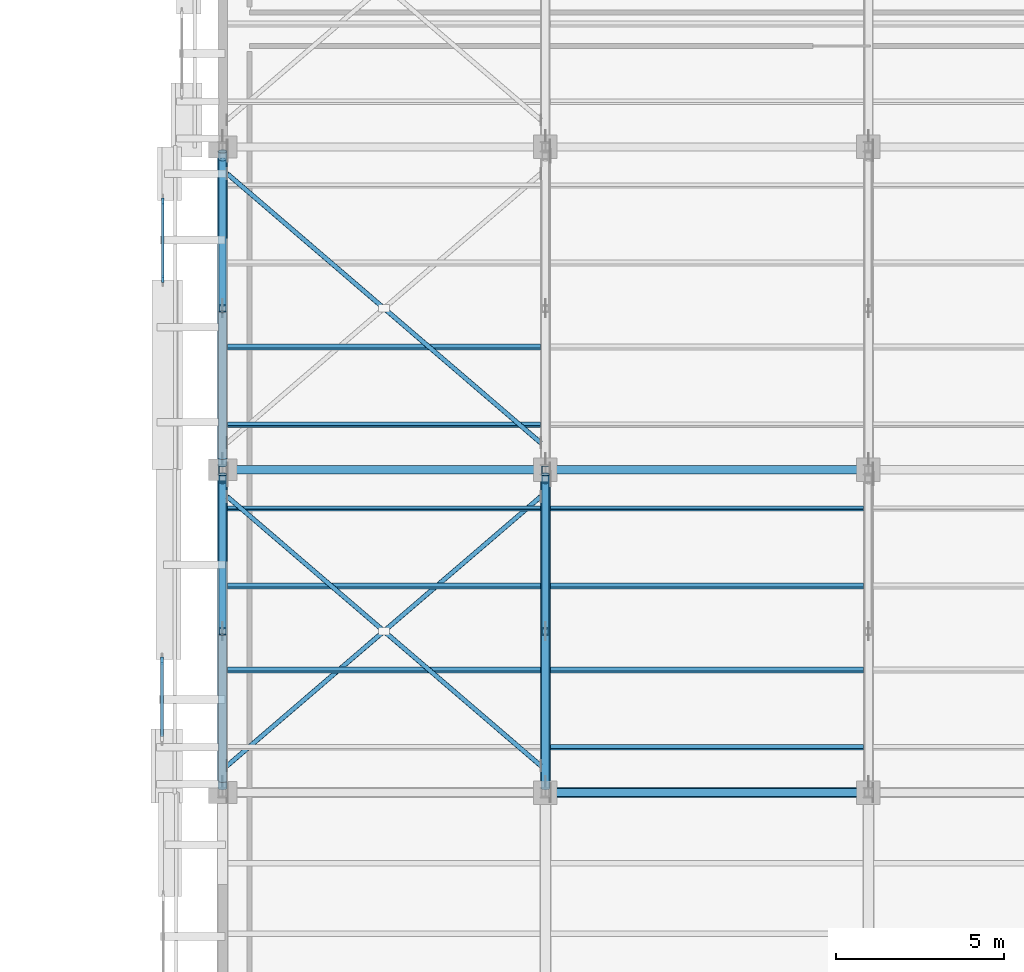
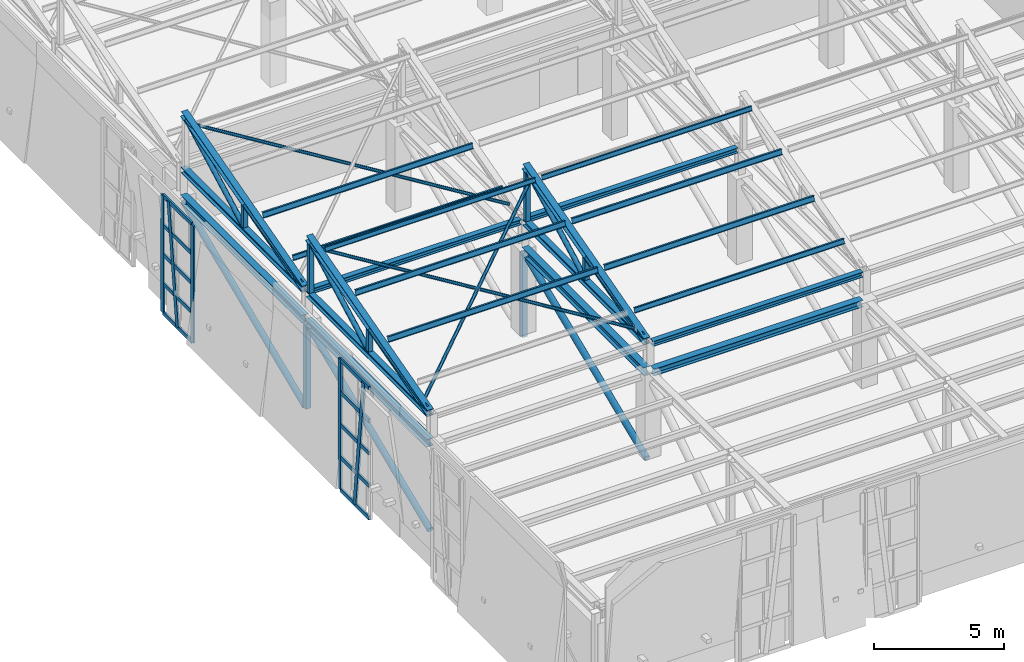
# One storey, part 9 of 71: 54 members, 4 beams, 2 elements without a shape of their own.
"""IFC4 building model written with IfcOpenShell, lengths in metres."""

from ifc_helpers import new_model, si_unit, direction, frame, origin, origin_2d, place, context, subcontext, project, spatial, rectangle, hollow_rectangle, hollow_circle, i_section, extrude, material, layer, layer_set, material_profile, profile_set, type_object, element, aggregate, save


model = new_model("IFC4")

# Units and contexts
model_context = context("Model", 3, precision=1e-05, world=origin(), true_north=direction((0.0, 1.0)))
body_context = subcontext(model_context, "Body", "Model", "MODEL_VIEW")
ifc_project = project(units=[si_unit("LENGTHUNIT", "METRE"), si_unit("AREAUNIT", "SQUARE_METRE"), si_unit("VOLUMEUNIT", "CUBIC_METRE"), si_unit("PLANEANGLEUNIT", "RADIAN"), si_unit("MASSUNIT", "GRAM", prefix="KILO")], contexts=[model_context])

# Site, building, storey
site_placement = place(None, origin())
site = spatial("IfcSite", under=ifc_project, at=site_placement, CompositionType="ELEMENT")
building_placement = place(site_placement, origin())
building = spatial("IfcBuilding", under=site, at=building_placement, Name="Bempovik Park Faculty of Sciences", CompositionType="ELEMENT")
storey_placement = place(building_placement, frame((0.0, 0.0, 14.10009765625)))
storey = spatial("IfcBuildingStorey", under=building, at=storey_placement, Name="L03", CompositionType="ELEMENT", Elevation=14.10009765625)

# Beams
ifc_material_1 = material(Name="Steel S355", Category="steel")
ifc_material_profile_1 = material_profile(ifc_material_1, i_section(OverallWidth=0.300048828125, OverallDepth=0.320068359375, WebThickness=0.011474609375, FlangeThickness=0.0205078125, at=origin_2d()), Name="HEB 320")
ifc_profile_set_1 = profile_set([ifc_material_profile_1], Name="Steel S355")
beam_type_1 = type_object("IfcBeamType", Name="B-018 HEB 320", PredefinedType="BEAM", material=ifc_profile_set_1)
beam_placement = place(storey_placement, frame((69.756103515625, 19.800048828125, 3.81982421875), z_axis=(1.0, 0.0, 0.0), x_axis=(0.0, 1.0, 0.0)))
element("IfcBeam", 1, at=beam_placement, inside=storey, type_object=beam_type_1, Name="Cantilever Collector Beam APR (69.6-79.2, y=19.8)", PredefinedType="BEAM", context=body_context, shape_type="SweptSolid", body=[
    extrude(i_section(OverallWidth=0.300048828125, OverallDepth=0.320068359375, WebThickness=0.011474609375, FlangeThickness=0.0205078125, at=origin_2d()), origin(), (0.0, 0.0, 1.0), 9.287841796875),
])
ifc_material_profile_2 = material_profile(ifc_material_1, i_section(OverallWidth=0.239990234375, OverallDepth=0.239990234375, WebThickness=0.010009765625, FlangeThickness=0.01708984375, at=origin_2d()), Name="HEB 240")
ifc_profile_set_2 = profile_set([ifc_material_profile_2], Name="Steel S355")
beam_type_2 = type_object("IfcBeamType", Name="B-042 HEB 240", PredefinedType="BEAM", material=ifc_profile_set_2)
for number, where, z_axis, x_axis, name in (
    (2, (69.75, 19.800048828125, 5.14990234375), (1.0, 0.0, 0.0), (0.0, 1.0, 0.0), "Sawtooth Valley Tie Beam V1-B1 (69.6-79.2)"),
    (3, (60.14990234375, 29.39990234375, 5.14990234375), (1.0, 0.0, 0.0), (0.0, 1.0, 0.0), "Sawtooth Valley Tie Beam V1-B2 (60.0-69.6)"),
    (4, (69.75, 29.39990234375, 5.14990234375), (1.0, 0.0, 0.0), (0.0, 1.0, 0.0), "Sawtooth Valley Tie Beam V1-B2 (69.6-79.2)"),
):
    element("IfcBeam", number, at=place(storey_placement, frame(where, z_axis=z_axis, x_axis=x_axis)), inside=storey, type_object=beam_type_2, Name=name, PredefinedType="BEAM", context=body_context, shape_type="SweptSolid", body=[
        extrude(i_section(OverallWidth=0.239990234375, OverallDepth=0.239990234375, WebThickness=0.010009765625, FlangeThickness=0.01708984375, at=origin_2d()), origin(), (0.0, 0.0, 1.0), 9.300048828125),
    ])

# Members
ifc_material_profile_3 = material_profile(ifc_material_1, i_section(OverallWidth=0.110107421875, OverallDepth=0.219970703125, WebThickness=0.005859375, FlangeThickness=0.00927734375, at=origin_2d()), Name="IPE 220")
ifc_profile_set_3 = profile_set([ifc_material_profile_3], Name="Steel S355")
member_type_1 = type_object("IfcMemberType", Name="M-18 IPE 220", PredefinedType="PURLIN", material=ifc_profile_set_3)
member_1_placement = place(storey_placement, frame((69.74609375, 21.14404296875, 5.847412109375), z_axis=(1.0, 0.0, 0.0), x_axis=(0.0, 0.965925826289, -0.258819045103)))
element("IfcMember", 5, at=member_1_placement, inside=storey, type_object=member_type_1, Name="Sawtooth Roof Purlin V1-B1 (69.6-79.2) #1", PredefinedType="PURLIN", context=body_context, shape_type="SweptSolid", body=[
    extrude(i_section(OverallWidth=0.110107421875, OverallDepth=0.219970703125, WebThickness=0.005859375, FlangeThickness=0.00927734375, at=origin_2d()), origin(), (0.0, 0.0, 1.0), 9.307861328125),
])
member_2_placement = place(storey_placement, frame((60.14599609375, 30.743896484375, 5.847412109375), z_axis=(1.0, 0.0, 0.0), x_axis=(0.0, 0.965925826289, -0.258819045103)))
element("IfcMember", 6, at=member_2_placement, inside=storey, type_object=member_type_1, Name="Sawtooth Roof Purlin V1-B2 (60.0-69.6) #1", PredefinedType="PURLIN", context=body_context, shape_type="SweptSolid", body=[
    extrude(i_section(OverallWidth=0.110107421875, OverallDepth=0.219970703125, WebThickness=0.005859375, FlangeThickness=0.00927734375, at=origin_2d()), origin(), (0.0, 0.0, 1.0), 9.30810546875),
])
ifc_material_profile_4 = material_profile(ifc_material_1, hollow_circle(Radius=0.109619140625, WallThickness=0.010009765625, at=origin_2d()), Name="CHS 219.1x10")
ifc_profile_set_4 = profile_set([ifc_material_profile_4], Name="Steel S355")
member_type_2 = type_object("IfcMemberType", Name="M-22 CHS 219.1x10", PredefinedType="BRACE", material=ifc_profile_set_4)
for number, where, z_axis, x_axis, name in (
    (7, (60.0, 24.705078125, 5.285888671875), (0.0, 0.882187464719, 0.470898372361), (-1.0, 0.0, 0.0), "Sawtooth Web Diagonal 2 V1-B1 (60.0)"),
    (8, (69.60009765625, 24.705078125, 5.285888671875), (0.0, 0.882187464719, 0.470898372361), (-1.0, 0.0, 0.0), "Sawtooth Web Diagonal 2 V1-B1 (69.6)"),
    (9, (60.0, 34.304931640625, 5.285888671875), (0.0, 0.882187464719, 0.470898372361), (-1.0, 0.0, 0.0), "Sawtooth Web Diagonal 2 V1-B2 (60.0)"),
):
    element("IfcMember", number, at=place(storey_placement, frame(where, z_axis=z_axis, x_axis=x_axis)), inside=storey, type_object=member_type_2, Name=name, PredefinedType="BRACE", context=body_context, shape_type="SweptSolid", body=[
        extrude(hollow_circle(Radius=0.109619140625, WallThickness=0.010009765625, at=origin_2d()), origin(), (0.0, 0.0, 1.0), 4.902587890625),
    ])
ifc_material_profile_5 = material_profile(ifc_material_1, i_section(OverallWidth=0.300048828125, OverallDepth=0.360107421875, WebThickness=0.012451171875, FlangeThickness=0.0224609375, at=origin_2d()), Name="HEB 360")
ifc_profile_set_5 = profile_set([ifc_material_profile_5], Name="Steel S355")
member_type_3 = type_object("IfcMemberType", Name="M-23 HEB 360", PredefinedType="CHORD", material=ifc_profile_set_5)
member_3_placement = place(storey_placement, frame((60.0, 19.931884765625, 3.7998046875), z_axis=(0.0, 1.0, 0.0), x_axis=(-1.0, 0.0, 0.0)))
element("IfcMember", 10, at=member_3_placement, inside=storey, type_object=member_type_3, Name="Cantilever Truss 1 Top Chord 3", PredefinedType="CHORD", context=body_context, shape_type="SweptSolid", body=[
    extrude(i_section(OverallWidth=0.300048828125, OverallDepth=0.360107421875, WebThickness=0.012451171875, FlangeThickness=0.0224609375, at=origin_2d()), origin(), (0.0, 0.0, 1.0), 9.336181640625),
])
member_4_placement = place(storey_placement, frame((60.0, 29.531982421875, 3.7998046875), z_axis=(0.0, 1.0, 0.0), x_axis=(-1.0, 0.0, 0.0)))
element("IfcMember", 11, at=member_4_placement, inside=storey, type_object=member_type_3, Name="Cantilever Truss 1 Top Chord 4", PredefinedType="CHORD", context=body_context, shape_type="SweptSolid", body=[
    extrude(i_section(OverallWidth=0.300048828125, OverallDepth=0.360107421875, WebThickness=0.012451171875, FlangeThickness=0.0224609375, at=origin_2d()), origin(), (0.0, 0.0, 1.0), 9.3359375),
])
member_5_placement = place(storey_placement, frame((69.60009765625, 19.931884765625, 3.7998046875), z_axis=(0.0, 1.0, 0.0), x_axis=(-1.0, 0.0, 0.0)))
element("IfcMember", 12, at=member_5_placement, inside=storey, type_object=member_type_3, Name="Cantilever Truss 2 Top Chord 3", PredefinedType="CHORD", context=body_context, shape_type="SweptSolid", body=[
    extrude(i_section(OverallWidth=0.300048828125, OverallDepth=0.360107421875, WebThickness=0.012451171875, FlangeThickness=0.0224609375, at=origin_2d()), origin(), (0.0, 0.0, 1.0), 9.336181640625),
])
ifc_material_profile_6 = material_profile(ifc_material_1, i_section(OverallWidth=0.280029296875, OverallDepth=0.280029296875, WebThickness=0.010498046875, FlangeThickness=0.01806640625, at=origin_2d()), Name="HEB 280")
ifc_profile_set_6 = profile_set([ifc_material_profile_6], Name="Steel S355")
member_type_4 = type_object("IfcMemberType", Name="M-26 HEB 280", PredefinedType="CHORD", material=ifc_profile_set_6)
for number, where, z_axis, x_axis, name in (
    (13, (60.0, 19.9560546875, 5.212158203125), (0.0, 0.963723405845, 0.266902973056), (-1.0, 0.0, 0.0), "Sawtooth Top Rafter Chord V1-B1 (60.0)"),
    (14, (69.60009765625, 19.9560546875, 5.212158203125), (0.0, 0.963723405845, 0.266902973056), (-1.0, 0.0, 0.0), "Sawtooth Top Rafter Chord V1-B1 (69.6)"),
):
    element("IfcMember", number, at=place(storey_placement, frame(where, z_axis=z_axis, x_axis=x_axis)), inside=storey, type_object=member_type_4, Name=name, PredefinedType="CHORD", context=body_context, shape_type="SweptSolid", body=[
        extrude(i_section(OverallWidth=0.280029296875, OverallDepth=0.280029296875, WebThickness=0.010498046875, FlangeThickness=0.01806640625, at=origin_2d()), origin(), (0.0, 0.0, 1.0), 9.637451171875),
    ])
member_6_placement = place(storey_placement, frame((60.0, 29.555908203125, 5.212158203125), z_axis=(0.0, 0.963725210394, 0.266896457173), x_axis=(-1.0, 0.0, 0.0)))
element("IfcMember", 15, at=member_6_placement, inside=storey, type_object=member_type_4, Name="Sawtooth Top Rafter Chord V1-B2 (60.0)", PredefinedType="CHORD", context=body_context, shape_type="SweptSolid", body=[
    extrude(i_section(OverallWidth=0.280029296875, OverallDepth=0.280029296875, WebThickness=0.010498046875, FlangeThickness=0.01806640625, at=origin_2d()), origin(), (0.0, 0.0, 1.0), 9.6376953125),
])
ifc_material_profile_7 = material_profile(ifc_material_1, hollow_rectangle(XDim=0.219970703125, YDim=0.219970703125, WallThickness=0.010009765625, at=origin_2d()), Name="SHS 220x220x10")
ifc_profile_set_7 = profile_set([ifc_material_profile_7], Name="Steel S355")
member_type_5 = type_object("IfcMemberType", Name="M-32 SHS 220x220x10", PredefinedType="POST", material=ifc_profile_set_7)
for number, where, z_axis, x_axis, name in (
    (16, (60.0, 29.39990234375, -0.294189453125), (0.0, 0.0, 1.0), (1.0, 0.0, 0.0), "Cantilever Truss 1 L03 Post 4"),
    (17, (69.60009765625, 29.39990234375, -0.294189453125), (0.0, 0.0, 1.0), (1.0, 0.0, 0.0), "Cantilever Truss 2 L03 Post 4"),
):
    element("IfcMember", number, at=place(storey_placement, frame(where, z_axis=z_axis, x_axis=x_axis)), inside=storey, type_object=member_type_5, Name=name, PredefinedType="POST", context=body_context, shape_type="SweptSolid", body=[
        extrude(hollow_rectangle(XDim=0.219970703125, YDim=0.219970703125, WallThickness=0.010009765625, at=origin_2d()), origin(), (0.0, 0.0, 1.0), 3.908203125),
    ])
ifc_material_profile_8 = material_profile(ifc_material_1, hollow_rectangle(XDim=0.199951171875, YDim=0.199951171875, WallThickness=0.010009765625, at=origin_2d()), Name="SHS 200x200x10")
ifc_profile_set_8 = profile_set([ifc_material_profile_8], Name="Steel S355")
member_type_6 = type_object("IfcMemberType", Name="M-44 SHS 200x200x10", PredefinedType="POST", material=ifc_profile_set_8)
member_7_placement = place(storey_placement, frame((60.0, 29.1298828125, 5.285888671875), z_axis=(0.0, 0.0, 1.0), x_axis=(1.0, 0.0, 0.0)))
element("IfcMember", 18, at=member_7_placement, inside=storey, type_object=member_type_6, Name="Sawtooth North-Light Post V1-B1 (60.0)", PredefinedType="POST", context=body_context, shape_type="SweptSolid", body=[
    extrude(hollow_rectangle(XDim=0.199951171875, YDim=0.199951171875, WallThickness=0.010009765625, at=origin_2d()), origin(), (0.0, 0.0, 1.0), 2.30859375),
])
member_8_placement = place(storey_placement, frame((60.0, 24.60009765625, 5.285888671875), z_axis=(0.0, 0.0, 1.0), x_axis=(1.0, 0.0, 0.0)))
element("IfcMember", 19, at=member_8_placement, inside=storey, type_object=member_type_6, Name="Sawtooth Mid Post V1-B1 (60.0)", PredefinedType="POST", context=body_context, shape_type="SweptSolid", body=[
    extrude(hollow_rectangle(XDim=0.199951171875, YDim=0.199951171875, WallThickness=0.010009765625, at=origin_2d()), origin(), (0.0, 0.0, 1.0), 1.052490234375),
])
member_9_placement = place(storey_placement, frame((69.60009765625, 29.1298828125, 5.285888671875), z_axis=(0.0, 0.0, 1.0), x_axis=(1.0, 0.0, 0.0)))
element("IfcMember", 20, at=member_9_placement, inside=storey, type_object=member_type_6, Name="Sawtooth North-Light Post V1-B1 (69.6)", PredefinedType="POST", context=body_context, shape_type="SweptSolid", body=[
    extrude(hollow_rectangle(XDim=0.199951171875, YDim=0.199951171875, WallThickness=0.010009765625, at=origin_2d()), origin(), (0.0, 0.0, 1.0), 2.30859375),
])
for number, where, z_axis, x_axis, name in (
    (21, (69.60009765625, 24.60009765625, 5.285888671875), (0.0, 0.0, 1.0), (1.0, 0.0, 0.0), "Sawtooth Mid Post V1-B1 (69.6)"),
    (22, (60.0, 34.199951171875, 5.285888671875), (0.0, 0.0, 1.0), (1.0, 0.0, 0.0), "Sawtooth Mid Post V1-B2 (60.0)"),
):
    element("IfcMember", number, at=place(storey_placement, frame(where, z_axis=z_axis, x_axis=x_axis)), inside=storey, type_object=member_type_6, Name=name, PredefinedType="POST", context=body_context, shape_type="SweptSolid", body=[
        extrude(hollow_rectangle(XDim=0.199951171875, YDim=0.199951171875, WallThickness=0.010009765625, at=origin_2d()), origin(), (0.0, 0.0, 1.0), 1.052490234375),
    ])
ifc_material_profile_9 = material_profile(ifc_material_1, i_section(OverallWidth=0.10009765625, OverallDepth=0.199951171875, WebThickness=0.005615234375, FlangeThickness=0.008544921875, at=origin_2d()), Name="IPE 200")
ifc_profile_set_9 = profile_set([ifc_material_profile_9], Name="Steel S355")
member_type_7 = type_object("IfcMemberType", Name="M-48 IPE 200", PredefinedType="PURLIN", material=ifc_profile_set_9)
member_10_placement = place(storey_placement, frame((60.14599609375, 28.248046875, 7.7607421875), z_axis=(1.0, 0.0, 0.0), x_axis=(0.0, 0.965925826289, -0.258819045103)))
element("IfcMember", 23, at=member_10_placement, inside=storey, type_object=member_type_7, Name="Sawtooth Roof Purlin V1-B1 (60.0-69.6) #4", PredefinedType="PURLIN", context=body_context, shape_type="SweptSolid", body=[
    extrude(i_section(OverallWidth=0.10009765625, OverallDepth=0.199951171875, WebThickness=0.005615234375, FlangeThickness=0.008544921875, at=origin_2d()), origin(), (0.0, 0.0, 1.0), 9.30810546875),
])
member_11_placement = place(storey_placement, frame((69.74609375, 28.248046875, 7.7607421875), z_axis=(1.0, 0.0, 0.0), x_axis=(0.0, 0.965925826289, -0.258819045103)))
element("IfcMember", 24, at=member_11_placement, inside=storey, type_object=member_type_7, Name="Sawtooth Roof Purlin V1-B1 (69.6-79.2) #4", PredefinedType="PURLIN", context=body_context, shape_type="SweptSolid", body=[
    extrude(i_section(OverallWidth=0.10009765625, OverallDepth=0.199951171875, WebThickness=0.005615234375, FlangeThickness=0.008544921875, at=origin_2d()), origin(), (0.0, 0.0, 1.0), 9.307861328125),
])
ifc_material_profile_10 = material_profile(ifc_material_1, i_section(OverallWidth=0.260009765625, OverallDepth=0.260009765625, WebThickness=0.010009765625, FlangeThickness=0.017578125, at=origin_2d()), Name="HEB 260")
ifc_profile_set_10 = profile_set([ifc_material_profile_10], Name="Steel S355")
member_type_8 = type_object("IfcMemberType", Name="M-58 HEB 260", PredefinedType="CHORD", material=ifc_profile_set_10)
for number, where, z_axis, x_axis, name in (
    (25, (60.0, 19.9560546875, 5.14990234375), (0.0, 1.0, 0.0), (-1.0, 0.0, 0.0), "Sawtooth Bottom Chord V1-B1 (60.0)"),
    (26, (69.60009765625, 19.9560546875, 5.14990234375), (0.0, 1.0, 0.0), (-1.0, 0.0, 0.0), "Sawtooth Bottom Chord V1-B1 (69.6)"),
):
    element("IfcMember", number, at=place(storey_placement, frame(where, z_axis=z_axis, x_axis=x_axis)), inside=storey, type_object=member_type_8, Name=name, PredefinedType="CHORD", context=body_context, shape_type="SweptSolid", body=[
        extrude(i_section(OverallWidth=0.260009765625, OverallDepth=0.260009765625, WebThickness=0.010009765625, FlangeThickness=0.017578125, at=origin_2d()), origin(), (0.0, 0.0, 1.0), 9.287841796875),
    ])
member_12_placement = place(storey_placement, frame((60.0, 29.555908203125, 5.14990234375), z_axis=(0.0, 1.0, 0.0), x_axis=(-1.0, 0.0, 0.0)))
element("IfcMember", 27, at=member_12_placement, inside=storey, type_object=member_type_8, Name="Sawtooth Bottom Chord V1-B2 (60.0)", PredefinedType="CHORD", context=body_context, shape_type="SweptSolid", body=[
    extrude(i_section(OverallWidth=0.260009765625, OverallDepth=0.260009765625, WebThickness=0.010009765625, FlangeThickness=0.017578125, at=origin_2d()), origin(), (0.0, 0.0, 1.0), 9.2880859375),
])
ifc_material_profile_11 = material_profile(ifc_material_1, hollow_circle(Radius=0.136474609375, WallThickness=0.012451171875, at=origin_2d()), Name="CHS 273x12.5")
ifc_profile_set_11 = profile_set([ifc_material_profile_11], Name="Steel S355")
member_type_9 = type_object("IfcMemberType", Name="M-78 CHS 273x12.5", PredefinedType="BRACE", material=ifc_profile_set_11)
member_13_placement = place(storey_placement, frame((60.0, 19.93505859375, -0.294189453125), z_axis=(0.0, 0.922346194813, 0.386364461247), x_axis=(-1.0, 0.0, 0.0)))
element("IfcMember", 28, at=member_13_placement, inside=storey, type_object=member_type_9, Name="Cantilever Truss 1 L03 Diagonal 3", PredefinedType="BRACE", context=body_context, shape_type="SweptSolid", body=[
    extrude(hollow_circle(Radius=0.136474609375, WallThickness=0.012451171875, at=origin_2d()), origin(), (0.0, 0.0, 1.0), 10.115234375),
])
member_14_placement = place(storey_placement, frame((60.0, 29.534912109375, -0.294189453125), z_axis=(0.0, 0.922349797611, 0.386355860377), x_axis=(-1.0, 0.0, 0.0)))
element("IfcMember", 29, at=member_14_placement, inside=storey, type_object=member_type_9, Name="Cantilever Truss 1 L03 Diagonal 4", PredefinedType="BRACE", context=body_context, shape_type="SweptSolid", body=[
    extrude(hollow_circle(Radius=0.136474609375, WallThickness=0.012451171875, at=origin_2d()), origin(), (0.0, 0.0, 1.0), 10.115478515625),
])
member_15_placement = place(storey_placement, frame((69.60009765625, 19.93505859375, -0.294189453125), z_axis=(0.0, 0.922346194813, 0.386364461247), x_axis=(-1.0, 0.0, 0.0)))
element("IfcMember", 30, at=member_15_placement, inside=storey, type_object=member_type_9, Name="Cantilever Truss 2 L03 Diagonal 3", PredefinedType="BRACE", context=body_context, shape_type="SweptSolid", body=[
    extrude(hollow_circle(Radius=0.136474609375, WallThickness=0.012451171875, at=origin_2d()), origin(), (0.0, 0.0, 1.0), 10.115234375),
])
ifc_material_profile_12 = material_profile(ifc_material_1, hollow_circle(Radius=0.122314453125, WallThickness=0.010009765625, at=origin_2d()), Name="CHS 244.5x10")
ifc_profile_set_12 = profile_set([ifc_material_profile_12], Name="Steel S355")
member_type_10 = type_object("IfcMemberType", Name="M-82 CHS 244.5x10", PredefinedType="BRACE", material=ifc_profile_set_12)
for number, where, z_axis, x_axis, name in (
    (31, (60.0, 20.1298828125, 5.285888671875), (0.0, 0.972142472623, 0.23439072704), (-1.0, 0.0, 0.0), "Sawtooth Web Diagonal 1 V1-B1 (60.0)"),
    (32, (69.60009765625, 20.1298828125, 5.285888671875), (0.0, 0.972142472623, 0.23439072704), (-1.0, 0.0, 0.0), "Sawtooth Web Diagonal 1 V1-B1 (69.6)"),
):
    element("IfcMember", number, at=place(storey_placement, frame(where, z_axis=z_axis, x_axis=x_axis)), inside=storey, type_object=member_type_10, Name=name, PredefinedType="BRACE", context=body_context, shape_type="SweptSolid", body=[
        extrude(hollow_circle(Radius=0.122314453125, WallThickness=0.010009765625, at=origin_2d()), origin(), (0.0, 0.0, 1.0), 4.490234375),
    ])
member_16_placement = place(storey_placement, frame((60.0, 29.72998046875, 5.285888671875), z_axis=(0.0, 0.972139485331, 0.234403116576), x_axis=(-1.0, 0.0, 0.0)))
element("IfcMember", 33, at=member_16_placement, inside=storey, type_object=member_type_10, Name="Sawtooth Web Diagonal 1 V1-B2 (60.0)", PredefinedType="BRACE", context=body_context, shape_type="SweptSolid", body=[
    extrude(hollow_circle(Radius=0.122314453125, WallThickness=0.010009765625, at=origin_2d()), origin(), (0.0, 0.0, 1.0), 4.489990234375),
])
ifc_material_profile_13 = material_profile(ifc_material_1, hollow_circle(Radius=0.06982421875, WallThickness=0.00634765625, at=origin_2d()), Name="CHS 139.7x6.3")
ifc_profile_set_13 = profile_set([ifc_material_profile_13], Name="Steel S355")
member_type_11 = type_object("IfcMemberType", Name="M-83 CHS 139.7x6.3", PredefinedType="BRACE", material=ifc_profile_set_13)
member_17_placement = place(storey_placement, frame((60.139892578125, 20.60009765625, 5.426513671875), z_axis=(0.747498624674, 0.641625014625, 0.171939369306), x_axis=(-0.651324847863, 0.758799013281, 0.0)))
element("IfcMember", 34, at=member_17_placement, inside=storey, type_object=member_type_11, Name="Sawtooth Continuous Roof X-Brace V1-B1 (60.0-69.6)", PredefinedType="BRACE", context=body_context, shape_type="SweptSolid", body=[
    extrude(hollow_circle(Radius=0.06982421875, WallThickness=0.00634765625, at=origin_2d()), origin(), (0.0, 0.0, 1.0), 12.46826171875),
])
member_18_placement = place(storey_placement, frame((60.139892578125, 28.60009765625, 7.5703125), z_axis=(0.747490158812, -0.641636778891, -0.171932272867), x_axis=(0.651335971051, 0.758789465408, 0.0)))
element("IfcMember", 35, at=member_18_placement, inside=storey, type_object=member_type_11, Name="Sawtooth Split X-Brace Half A V1-B1 (60.0-69.6)", PredefinedType="BRACE", context=body_context, shape_type="SweptSolid", body=[
    extrude(hollow_circle(Radius=0.06982421875, WallThickness=0.00634765625, at=origin_2d()), origin(), (0.0, 0.0, 1.0), 6.144287109375),
])
for number, where, z_axis, x_axis, name in (
    (36, (64.8671875, 24.542236328125, 6.48291015625), (0.747509216421, -0.641613401953, -0.17193665636), (0.65131274657, 0.758809400413, 0.0), "Sawtooth Split X-Brace Half B V1-B1 (60.0-69.6)"),
    (37, (60.139892578125, 38.199951171875, 7.5703125), (0.747509216421, -0.641613401953, -0.17193665636), (0.65131274657, 0.758809400413, 0.0), "Sawtooth Split X-Brace Half A V1-B2 (60.0-69.6)"),
):
    element("IfcMember", number, at=place(storey_placement, frame(where, z_axis=z_axis, x_axis=x_axis)), inside=storey, type_object=member_type_11, Name=name, PredefinedType="BRACE", context=body_context, shape_type="SweptSolid", body=[
        extrude(hollow_circle(Radius=0.06982421875, WallThickness=0.00634765625, at=origin_2d()), origin(), (0.0, 0.0, 1.0), 6.14404296875),
    ])
member_19_placement = place(storey_placement, frame((64.8671875, 34.142333984375, 6.48291015625), z_axis=(0.747490158812, -0.641636778891, -0.171932272867), x_axis=(0.651335971051, 0.758789465408, 0.0)))
element("IfcMember", 38, at=member_19_placement, inside=storey, type_object=member_type_11, Name="Sawtooth Split X-Brace Half B V1-B2 (60.0-69.6)", PredefinedType="BRACE", context=body_context, shape_type="SweptSolid", body=[
    extrude(hollow_circle(Radius=0.06982421875, WallThickness=0.00634765625, at=origin_2d()), origin(), (0.0, 0.0, 1.0), 6.144287109375),
])
ifc_material_profile_14 = material_profile(ifc_material_1, i_section(OverallWidth=0.1201171875, OverallDepth=0.239990234375, WebThickness=0.006103515625, FlangeThickness=0.009765625, at=origin_2d()), Name="IPE 240")
ifc_profile_set_14 = profile_set([ifc_material_profile_14], Name="Steel S355")
member_type_12 = type_object("IfcMemberType", Name="M-86 IPE 240", PredefinedType="PURLIN", material=ifc_profile_set_14)
for number, where, z_axis, x_axis, name in (
    (39, (60.14599609375, 23.447998046875, 6.45458984375), (1.0, 0.0, 0.0), (0.0, 0.965925826289, -0.258819045103), "Sawtooth Roof Purlin V1-B1 (60.0-69.6) #2"),
    (40, (60.14599609375, 25.944091796875, 7.12353515625), (1.0, 0.0, 0.0), (0.0, 0.965925826289, -0.258819045103), "Sawtooth Roof Purlin V1-B1 (60.0-69.6) #3"),
):
    element("IfcMember", number, at=place(storey_placement, frame(where, z_axis=z_axis, x_axis=x_axis)), inside=storey, type_object=member_type_12, Name=name, PredefinedType="PURLIN", context=body_context, shape_type="SweptSolid", body=[
        extrude(i_section(OverallWidth=0.1201171875, OverallDepth=0.239990234375, WebThickness=0.006103515625, FlangeThickness=0.009765625, at=origin_2d()), origin(), (0.0, 0.0, 1.0), 9.30810546875),
    ])
for number, where, z_axis, x_axis, name in (
    (41, (69.74609375, 23.447998046875, 6.45458984375), (1.0, 0.0, 0.0), (0.0, 0.965925826289, -0.258819045103), "Sawtooth Roof Purlin V1-B1 (69.6-79.2) #2"),
    (42, (69.74609375, 25.944091796875, 7.12353515625), (1.0, 0.0, 0.0), (0.0, 0.965925826289, -0.258819045103), "Sawtooth Roof Purlin V1-B1 (69.6-79.2) #3"),
):
    element("IfcMember", number, at=place(storey_placement, frame(where, z_axis=z_axis, x_axis=x_axis)), inside=storey, type_object=member_type_12, Name=name, PredefinedType="PURLIN", context=body_context, shape_type="SweptSolid", body=[
        extrude(i_section(OverallWidth=0.1201171875, OverallDepth=0.239990234375, WebThickness=0.006103515625, FlangeThickness=0.009765625, at=origin_2d()), origin(), (0.0, 0.0, 1.0), 9.307861328125),
    ])
member_20_placement = place(storey_placement, frame((60.14599609375, 33.048095703125, 6.45458984375), z_axis=(1.0, 0.0, 0.0), x_axis=(0.0, 0.965925826289, -0.258819045103)))
element("IfcMember", 43, at=member_20_placement, inside=storey, type_object=member_type_12, Name="Sawtooth Roof Purlin V1-B2 (60.0-69.6) #2", PredefinedType="PURLIN", context=body_context, shape_type="SweptSolid", body=[
    extrude(i_section(OverallWidth=0.1201171875, OverallDepth=0.239990234375, WebThickness=0.006103515625, FlangeThickness=0.009765625, at=origin_2d()), origin(), (0.0, 0.0, 1.0), 9.30810546875),
])

# Curtain wall, members
ifc_material_2 = material(Name="Tempered laminated low-E glass", Category="glass")
ifc_layer = layer(ifc_material_2, 0.159912109375)
ifc_layer_set = layer_set([ifc_layer], Name="Tempered laminated low-E glass")
curtain_wall_type = type_object("IfcCurtainWallType", Name="CW-33 Curtain 2400x4000", PredefinedType="USERDEFINED", material=ifc_layer_set)
curtain_wall_1_placement = place(storey_placement, origin())
curtain_wall_1 = element("IfcCurtainWall", 44, at=curtain_wall_1_placement, inside=storey, type_object=curtain_wall_type, Name="L03 Crystal Slantwise Light Fold (60.0,19.8)", ObjectType="UNITISED CURTAIN WALL", PredefinedType="USERDEFINED")
ifc_material_3 = material(Name="Anodised architectural bronze", Category="aluminium")
ifc_material_profile_15 = material_profile(ifc_material_3, rectangle(XDim=0.080078125, YDim=0.219970703125, at=origin_2d()), Name="ALU-M 80x220")
ifc_profile_set_15 = profile_set([ifc_material_profile_15], Name="Anodised architectural bronze")
member_type_13 = type_object("IfcMemberType", Name="ML-29 ALU-M 80x220", PredefinedType="MULLION", material=ifc_profile_set_15)
member_21_placement = place(storey_placement, frame((58.197265625, 22.574951171875, -0.0400390625), z_axis=(0.0, -0.11096063479, 0.99382480223), x_axis=(1.0, 0.0, 0.0)))
member_21 = element("IfcMember", 45, at=member_21_placement, type_object=member_type_13, Name="CW-FOLD-L03-600-198 Mullion 1", PredefinedType="MULLION", context=body_context, shape_type="SweptSolid", body=[
    extrude(rectangle(XDim=0.080078125, YDim=0.219970703125, at=origin_2d()), origin(), (0.0, 0.0, 1.0), 6.127685546875),
])
member_22_placement = place(storey_placement, frame((58.197265625, 23.72509765625, -0.0400390625), z_axis=(0.0, 0.0, 1.0), x_axis=(1.0, 0.0, 0.0)))
member_22 = element("IfcMember", 46, at=member_22_placement, type_object=member_type_13, Name="CW-FOLD-L03-600-198 Mullion 2", PredefinedType="MULLION", context=body_context, shape_type="SweptSolid", body=[
    extrude(rectangle(XDim=0.080078125, YDim=0.219970703125, at=origin_2d()), origin(), (0.0, 0.0, 1.0), 6.08984375),
])

curtain_wall_2_placement = place(storey_placement, origin())
curtain_wall_2 = element("IfcCurtainWall", 47, at=curtain_wall_2_placement, inside=storey, type_object=curtain_wall_type, Name="L03 Crystal Slantwise Light Fold (60.0,29.4)", ObjectType="UNITISED CURTAIN WALL", PredefinedType="USERDEFINED")
member_23_placement = place(storey_placement, frame((58.218017578125, 35.074951171875, -0.0400390625), z_axis=(0.0, 0.0, 1.0), x_axis=(1.0, 0.0, 0.0)))
member_23 = element("IfcMember", 48, at=member_23_placement, type_object=member_type_13, Name="CW-FOLD-L03-600-294 Mullion 0", PredefinedType="MULLION", context=body_context, shape_type="SweptSolid", body=[
    extrude(rectangle(XDim=0.080078125, YDim=0.219970703125, at=origin_2d()), origin(), (0.0, 0.0, 1.0), 5.489990234375),
])
member_24_placement = place(storey_placement, frame((58.218017578125, 36.22509765625, -0.0400390625), z_axis=(0.0, 0.122910283031, 0.992417786179), x_axis=(-1.0, 0.0, 0.0)))
member_24 = element("IfcMember", 49, at=member_24_placement, type_object=member_type_13, Name="CW-FOLD-L03-600-294 Mullion 1", PredefinedType="MULLION", context=body_context, shape_type="SweptSolid", body=[
    extrude(rectangle(XDim=0.080078125, YDim=0.219970703125, at=origin_2d()), origin(), (0.0, 0.0, 1.0), 5.531982421875),
])
member_25_placement = place(storey_placement, frame((58.218017578125, 37.375, -0.0400390625), z_axis=(0.0, 0.0, 1.0), x_axis=(1.0, 0.0, 0.0)))
member_25 = element("IfcMember", 50, at=member_25_placement, type_object=member_type_13, Name="CW-FOLD-L03-600-294 Mullion 2", PredefinedType="MULLION", context=body_context, shape_type="SweptSolid", body=[
    extrude(rectangle(XDim=0.080078125, YDim=0.219970703125, at=origin_2d()), origin(), (0.0, 0.0, 1.0), 5.489990234375),
])

# Member
ifc_material_profile_16 = material_profile(ifc_material_3, rectangle(XDim=0.080078125, YDim=0.179931640625, at=origin_2d()), Name="ALU-T 80x180")
ifc_profile_set_16 = profile_set([ifc_material_profile_16], Name="Anodised architectural bronze")
member_type_14 = type_object("IfcMemberType", Name="TR-29 ALU-T 80x180", PredefinedType="USERDEFINED", material=ifc_profile_set_16)
member_26_placement = place(storey_placement, frame((58.197265625, 21.465087890625, -0.0400390625), z_axis=(0.0, 1.0, 0.0), x_axis=(-1.0, 0.0, 0.0)))
member_26 = element("IfcMember", 51, at=member_26_placement, type_object=member_type_14, Name="CW-FOLD-L03-600-198 Transom 0", ObjectType="TRANSOM", PredefinedType="USERDEFINED", context=body_context, shape_type="SweptSolid", body=[
    extrude(rectangle(XDim=0.080078125, YDim=0.179931640625, at=origin_2d()), origin(), (0.0, 0.0, 1.0), 2.219970703125),
])

member_27_placement = place(storey_placement, frame((58.197265625, 21.465087890625, 1.482421875), z_axis=(0.0, 1.0, 0.0), x_axis=(-1.0, 0.0, 0.0)))
member_27 = element("IfcMember", 52, at=member_27_placement, type_object=member_type_14, Name="CW-FOLD-L03-600-198 Transom 1", ObjectType="TRANSOM", PredefinedType="USERDEFINED", context=body_context, shape_type="SweptSolid", body=[
    extrude(rectangle(XDim=0.080078125, YDim=0.179931640625, at=origin_2d()), origin(), (0.0, 0.0, 1.0), 2.219970703125),
])

member_28_placement = place(storey_placement, frame((58.197265625, 21.465087890625, 3.0048828125), z_axis=(0.0, 1.0, 0.0), x_axis=(-1.0, 0.0, 0.0)))
member_28 = element("IfcMember", 53, at=member_28_placement, type_object=member_type_14, Name="CW-FOLD-L03-600-198 Transom 2", ObjectType="TRANSOM", PredefinedType="USERDEFINED", context=body_context, shape_type="SweptSolid", body=[
    extrude(rectangle(XDim=0.080078125, YDim=0.179931640625, at=origin_2d()), origin(), (0.0, 0.0, 1.0), 2.219970703125),
])

member_29_placement = place(storey_placement, frame((58.197265625, 21.465087890625, 4.52734375), z_axis=(0.0, 1.0, 0.0), x_axis=(-1.0, 0.0, 0.0)))
member_29 = element("IfcMember", 54, at=member_29_placement, type_object=member_type_14, Name="CW-FOLD-L03-600-198 Transom 3", ObjectType="TRANSOM", PredefinedType="USERDEFINED", context=body_context, shape_type="SweptSolid", body=[
    extrude(rectangle(XDim=0.080078125, YDim=0.179931640625, at=origin_2d()), origin(), (0.0, 0.0, 1.0), 2.219970703125),
])

member_30_placement = place(storey_placement, frame((58.197265625, 21.465087890625, 6.0498046875), z_axis=(0.0, 1.0, 0.0), x_axis=(-1.0, 0.0, 0.0)))
member_30 = element("IfcMember", 55, at=member_30_placement, type_object=member_type_14, Name="CW-FOLD-L03-600-198 Transom 4", ObjectType="TRANSOM", PredefinedType="USERDEFINED", context=body_context, shape_type="SweptSolid", body=[
    extrude(rectangle(XDim=0.080078125, YDim=0.179931640625, at=origin_2d()), origin(), (0.0, 0.0, 1.0), 2.219970703125),
])

aggregate(curtain_wall_1, [member_21, member_22, member_26, member_27, member_28, member_29, member_30])

member_31_placement = place(storey_placement, frame((58.218017578125, 35.114990234375, -0.0400390625), z_axis=(0.0, 1.0, 0.0), x_axis=(-1.0, 0.0, 0.0)))
member_31 = element("IfcMember", 56, at=member_31_placement, type_object=member_type_14, Name="CW-FOLD-L03-600-294 Transom 0", ObjectType="TRANSOM", PredefinedType="USERDEFINED", context=body_context, shape_type="SweptSolid", body=[
    extrude(rectangle(XDim=0.080078125, YDim=0.179931640625, at=origin_2d()), origin(), (0.0, 0.0, 1.0), 2.219970703125),
])

member_32_placement = place(storey_placement, frame((58.218017578125, 35.114990234375, 1.33251953125), z_axis=(0.0, 1.0, 0.0), x_axis=(-1.0, 0.0, 0.0)))
member_32 = element("IfcMember", 57, at=member_32_placement, type_object=member_type_14, Name="CW-FOLD-L03-600-294 Transom 1", ObjectType="TRANSOM", PredefinedType="USERDEFINED", context=body_context, shape_type="SweptSolid", body=[
    extrude(rectangle(XDim=0.080078125, YDim=0.179931640625, at=origin_2d()), origin(), (0.0, 0.0, 1.0), 2.219970703125),
])

member_33_placement = place(storey_placement, frame((58.218017578125, 35.114990234375, 2.704833984375), z_axis=(0.0, 1.0, 0.0), x_axis=(-1.0, 0.0, 0.0)))
member_33 = element("IfcMember", 58, at=member_33_placement, type_object=member_type_14, Name="CW-FOLD-L03-600-294 Transom 2", ObjectType="TRANSOM", PredefinedType="USERDEFINED", context=body_context, shape_type="SweptSolid", body=[
    extrude(rectangle(XDim=0.080078125, YDim=0.179931640625, at=origin_2d()), origin(), (0.0, 0.0, 1.0), 2.219970703125),
])

member_34_placement = place(storey_placement, frame((58.218017578125, 35.114990234375, 4.077392578125), z_axis=(0.0, 1.0, 0.0), x_axis=(-1.0, 0.0, 0.0)))
member_34 = element("IfcMember", 59, at=member_34_placement, type_object=member_type_14, Name="CW-FOLD-L03-600-294 Transom 3", ObjectType="TRANSOM", PredefinedType="USERDEFINED", context=body_context, shape_type="SweptSolid", body=[
    extrude(rectangle(XDim=0.080078125, YDim=0.179931640625, at=origin_2d()), origin(), (0.0, 0.0, 1.0), 2.219970703125),
])

member_35_placement = place(storey_placement, frame((58.218017578125, 35.114990234375, 5.449951171875), z_axis=(0.0, 1.0, 0.0), x_axis=(-1.0, 0.0, 0.0)))
member_35 = element("IfcMember", 60, at=member_35_placement, type_object=member_type_14, Name="CW-FOLD-L03-600-294 Transom 4", ObjectType="TRANSOM", PredefinedType="USERDEFINED", context=body_context, shape_type="SweptSolid", body=[
    extrude(rectangle(XDim=0.080078125, YDim=0.179931640625, at=origin_2d()), origin(), (0.0, 0.0, 1.0), 2.219970703125),
])

aggregate(curtain_wall_2, [member_23, member_24, member_25, member_31, member_32, member_33, member_34, member_35])

save(model, "model.ifc")
